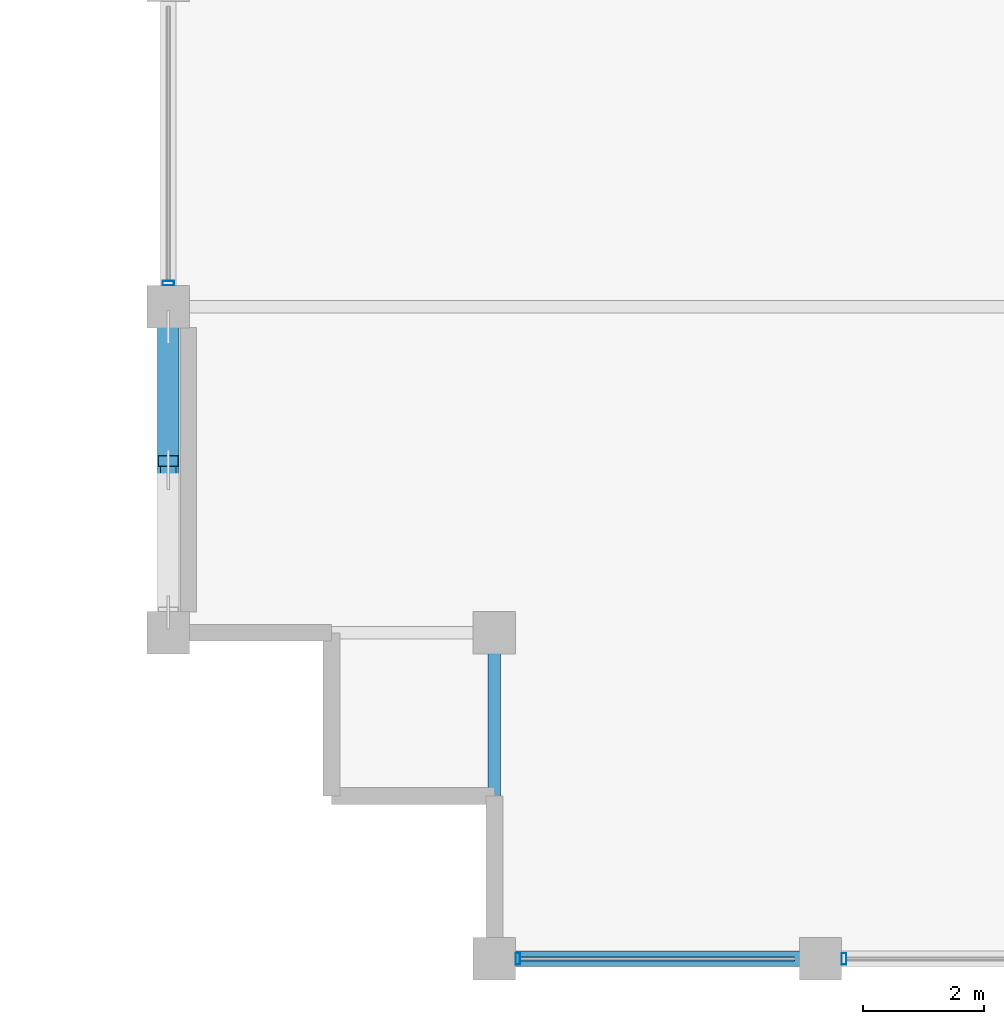
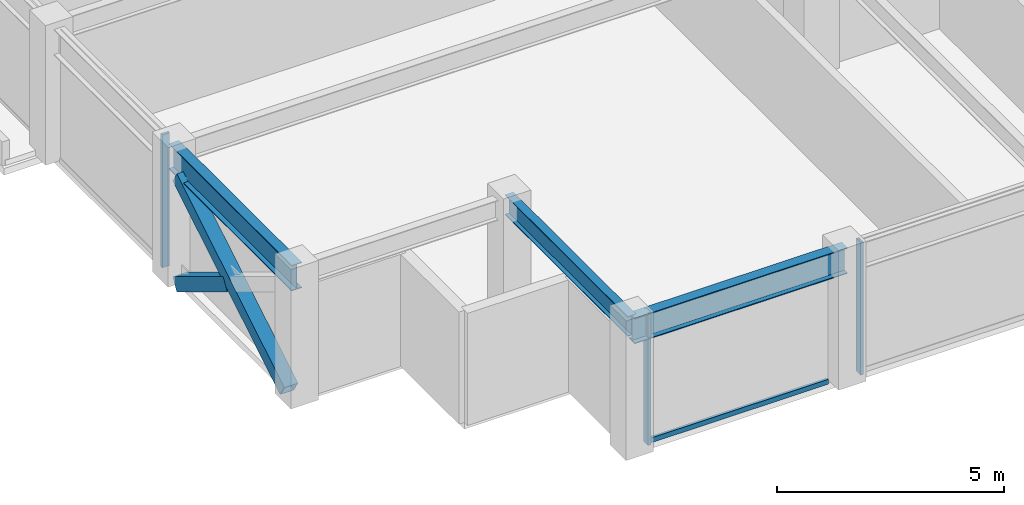
# One storey, part 2 of 31: 6 members, 3 beams, 2 elements without a shape of their own.
"""IFC4 building model written with IfcOpenShell, lengths in metres."""

from ifc_helpers import new_model, si_unit, direction, frame, origin, origin_2d, place, context, subcontext, project, spatial, hollow_rectangle, i_section, extrude, material, layer, layer_set, material_profile, profile_set, type_object, element, aggregate, save


model = new_model("IFC4")

# Units and contexts
model_context = context("Model", 3, precision=1e-05, world=origin(), true_north=direction((0.0, 1.0)))
body_context = subcontext(model_context, "Body", "Model", "MODEL_VIEW")
ifc_project = project(units=[si_unit("LENGTHUNIT", "METRE"), si_unit("AREAUNIT", "SQUARE_METRE"), si_unit("VOLUMEUNIT", "CUBIC_METRE"), si_unit("PLANEANGLEUNIT", "RADIAN"), si_unit("MASSUNIT", "GRAM", prefix="KILO")], contexts=[model_context])

# Site, building, storey
site_placement = place(None, origin())
site = spatial("IfcSite", under=ifc_project, at=site_placement, CompositionType="ELEMENT")
building_placement = place(site_placement, origin())
building = spatial("IfcBuilding", under=site, at=building_placement, Name="Surkhivell Harbour Commons", CompositionType="ELEMENT")
storey_placement = place(building_placement, frame((0.0, 0.0, 315.0)))
storey = spatial("IfcBuildingStorey", under=building, at=storey_placement, Name="L82", CompositionType="ELEMENT", Elevation=315.0)

# Beams
ifc_material_1 = material(Name="Steel S355", Category="steel")
ifc_material_profile_1 = material_profile(ifc_material_1, i_section(OverallWidth=0.2099609375, OverallDepth=0.537109375, WebThickness=0.0107421875, FlangeThickness=0.017333984375, at=origin_2d()), Name="UB533x210x101")
ifc_profile_set_1 = profile_set([ifc_material_profile_1], Name="Steel S355")
beam_type_1 = type_object("IfcBeamType", Name="BM-GRD-533B", PredefinedType="BEAM", material=ifc_profile_set_1)
beam_1_placement = place(storey_placement, frame((-21.60009765625, -21.60009765625, 3.301513671875), z_axis=(0.0, 1.0, 0.0), x_axis=(-1.0, 0.0, 0.0)))
element("IfcBeam", 1, at=beam_1_placement, inside=storey, type_object=beam_type_1, Name="L82 Floor Girder (-21.6,-21.6)", PredefinedType="BEAM", context=body_context, shape_type="SweptSolid", body=[
    extrude(i_section(OverallWidth=0.2099609375, OverallDepth=0.537109375, WebThickness=0.0107421875, FlangeThickness=0.017333984375, at=origin_2d()), origin(), (0.0, 0.0, 1.0), 5.400146484375),
])
ifc_material_profile_2 = material_profile(ifc_material_1, i_section(OverallWidth=0.256103515625, OverallDepth=0.693115234375, WebThickness=0.014404296875, FlangeThickness=0.023681640625, at=origin_2d()), Name="UB686x254x170")
ifc_profile_set_2 = profile_set([ifc_material_profile_2], Name="Steel S355")
beam_type_2 = type_object("IfcBeamType", Name="BM-SPN-686", PredefinedType="SPANDREL", material=ifc_profile_set_2)
beam_2_placement = place(storey_placement, frame((-27.0, -16.199951171875, 3.223388671875), z_axis=(0.0, 1.0, 0.0), x_axis=(-1.0, 0.0, 0.0)))
element("IfcBeam", 2, at=beam_2_placement, inside=storey, type_object=beam_type_2, Name="L82 Tube Spandrel (-27.0,-16.2)", PredefinedType="SPANDREL", context=body_context, shape_type="SweptSolid", body=[
    extrude(i_section(OverallWidth=0.256103515625, OverallDepth=0.693115234375, WebThickness=0.014404296875, FlangeThickness=0.023681640625, at=origin_2d()), origin(), (0.0, 0.0, 1.0), 5.39990234375),
])
beam_3_placement = place(storey_placement, frame((-21.60009765625, -21.60009765625, 3.223388671875), z_axis=(1.0, 0.0, 0.0), x_axis=(0.0, 1.0, 0.0)))
element("IfcBeam", 3, at=beam_3_placement, inside=storey, type_object=beam_type_2, Name="L82 Tube Spandrel (-21.6,-21.6)", PredefinedType="SPANDREL", context=body_context, shape_type="SweptSolid", body=[
    extrude(i_section(OverallWidth=0.256103515625, OverallDepth=0.693115234375, WebThickness=0.014404296875, FlangeThickness=0.023681640625, at=origin_2d()), origin(), (0.0, 0.0, 1.0), 5.400146484375),
])

# Curtain wall, members
ifc_material_2 = material(Name="Anodised pale-metal aluminium and insulated glazing", Category="aluminium")
ifc_layer = layer(ifc_material_2, 0.175048828125)
ifc_layer_set = layer_set([ifc_layer], Name="Anodised pale-metal aluminium and insulated glazing")
curtain_wall_type = type_object("IfcCurtainWallType", Name="CW-SYS-Z4", PredefinedType="NOTDEFINED", material=ifc_layer_set)
curtain_wall_1_placement = place(storey_placement, origin())
curtain_wall_1 = element("IfcCurtainWall", 4, at=curtain_wall_1_placement, inside=storey, type_object=curtain_wall_type, Name="L82 Curtain Wall CW-L82-E00S1", PredefinedType="NOTDEFINED")
ifc_material_3 = material(Name="Anodised pale-metal aluminium alloy 6063-T6", Category="aluminium")
ifc_material_profile_3 = material_profile(ifc_material_3, hollow_rectangle(XDim=0.074951171875, YDim=0.18994140625, WallThickness=0.00390625, at=origin_2d()), Name="ALU-MULL-75x190")
ifc_profile_set_3 = profile_set([ifc_material_profile_3], Name="Anodised pale-metal aluminium alloy 6063-T6")
member_type_1 = type_object("IfcMemberType", Name="CWM-190", PredefinedType="MULLION", material=ifc_profile_set_3)
member_1_placement = place(storey_placement, frame((-21.21044921875, -21.60009765625, 0.0), z_axis=(0.0, 0.0, 1.0), x_axis=(1.0, 0.0, 0.0)))
member_1 = element("IfcMember", 5, at=member_1_placement, type_object=member_type_1, Name="CW-Z4 mullion 1", PredefinedType="MULLION", context=body_context, shape_type="SweptSolid", body=[
    extrude(hollow_rectangle(XDim=0.074951171875, YDim=0.18994140625, WallThickness=0.00390625, at=origin_2d()), origin(), (0.0, 0.0, 1.0), 3.570068359375),
])
member_2_placement = place(storey_placement, frame((-15.810546875, -21.60009765625, 0.0), z_axis=(0.0, 0.0, 1.0), x_axis=(1.0, 0.0, 0.0)))
member_2 = element("IfcMember", 6, at=member_2_placement, type_object=member_type_1, Name="CW-Z4 mullion 2", PredefinedType="MULLION", context=body_context, shape_type="SweptSolid", body=[
    extrude(hollow_rectangle(XDim=0.074951171875, YDim=0.18994140625, WallThickness=0.00390625, at=origin_2d()), origin(), (0.0, 0.0, 1.0), 3.570068359375),
])

# Curtain wall, member
curtain_wall_2_placement = place(storey_placement, origin())
curtain_wall_2 = element("IfcCurtainWall", 7, at=curtain_wall_2_placement, inside=storey, type_object=curtain_wall_type, Name="L82 Curtain Wall CW-L82-E12R1S1", PredefinedType="NOTDEFINED")
member_3_placement = place(storey_placement, frame((-27.0, -10.410400390625, 0.0), z_axis=(0.0, 0.0, 1.0), x_axis=(0.0, 1.0, 0.0)))
member_3 = element("IfcMember", 8, at=member_3_placement, type_object=member_type_1, Name="CW-Z4 mullion 1", PredefinedType="MULLION", context=body_context, shape_type="SweptSolid", body=[
    extrude(hollow_rectangle(XDim=0.074951171875, YDim=0.18994140625, WallThickness=0.00390625, at=origin_2d()), origin(), (0.0, 0.0, 1.0), 3.570068359375),
])
aggregate(curtain_wall_2, [member_3])

# Member
ifc_material_4 = material(Name="Champagne anodised aluminium alloy 6063-T6", Category="aluminium")
ifc_material_profile_4 = material_profile(ifc_material_4, hollow_rectangle(XDim=0.070068359375, YDim=0.1298828125, WallThickness=0.00341796875, at=origin_2d()), Name="ALU-TRAN-70x130")
ifc_profile_set_4 = profile_set([ifc_material_profile_4], Name="Champagne anodised aluminium alloy 6063-T6")
member_type_2 = type_object("IfcMemberType", Name="CWT-130", PredefinedType="USERDEFINED", material=ifc_profile_set_4)
member_4_placement = place(storey_placement, frame((-21.173095703125, -21.60009765625, 0.06494140625), z_axis=(1.0, 0.0, 0.0), x_axis=(0.0, 1.0, 0.0)))
member_4 = element("IfcMember", 9, at=member_4_placement, type_object=member_type_2, Name="CW-Z4 transom 1.1", ObjectType="TRANSOM", PredefinedType="USERDEFINED", context=body_context, shape_type="SweptSolid", body=[
    extrude(hollow_rectangle(XDim=0.070068359375, YDim=0.1298828125, WallThickness=0.00341796875, at=origin_2d()), origin(), (0.0, 0.0, 1.0), 4.546142578125),
])

aggregate(curtain_wall_1, [member_1, member_4, member_2])

# Members
ifc_material_profile_5 = material_profile(ifc_material_1, hollow_rectangle(XDim=0.35009765625, YDim=0.35009765625, WallThickness=0.01611328125, at=origin_2d()), Name="SHS350x350x16")
ifc_profile_set_5 = profile_set([ifc_material_profile_5], Name="Steel S355")
member_type_3 = type_object("IfcMemberType", Name="MEM-BRC-SHS350", PredefinedType="BRACE", material=ifc_profile_set_5)
member_5_placement = place(storey_placement, frame((-27.0, -15.864990234375, 0.008056640625), z_axis=(0.0, 0.854685454322, 0.519146197299), x_axis=(-1.0, 0.0, 0.0)))
element("IfcMember", 10, at=member_5_placement, inside=storey, type_object=member_type_3, Name="L82 Perimeter Mega-Brace MB- 10", PredefinedType="BRACE", context=body_context, shape_type="SweptSolid", body=[
    extrude(hollow_rectangle(XDim=0.35009765625, YDim=0.35009765625, WallThickness=0.01611328125, at=origin_2d()), origin(), (0.0, 0.0, 1.0), 5.5341796875),
])
member_6_placement = place(storey_placement, frame((-27.0, -11.135009765625, 0.008056640625), z_axis=(0.0, -0.854678858595, 0.51915705588), x_axis=(1.0, 0.0, 0.0)))
element("IfcMember", 11, at=member_6_placement, inside=storey, type_object=member_type_3, Name="L82 Perimeter Mega-Brace MB- 11", PredefinedType="BRACE", context=body_context, shape_type="SweptSolid", body=[
    extrude(hollow_rectangle(XDim=0.35009765625, YDim=0.35009765625, WallThickness=0.01611328125, at=origin_2d()), origin(), (0.0, 0.0, 1.0), 2.59912109375),
])

save(model, "model.ifc")
